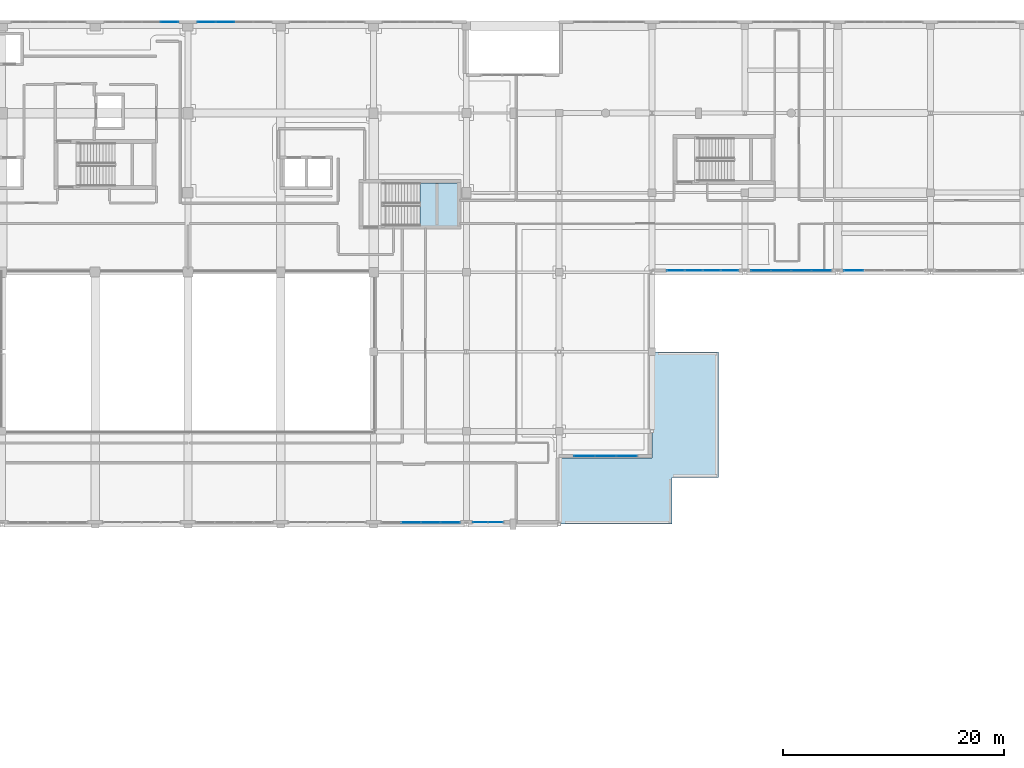
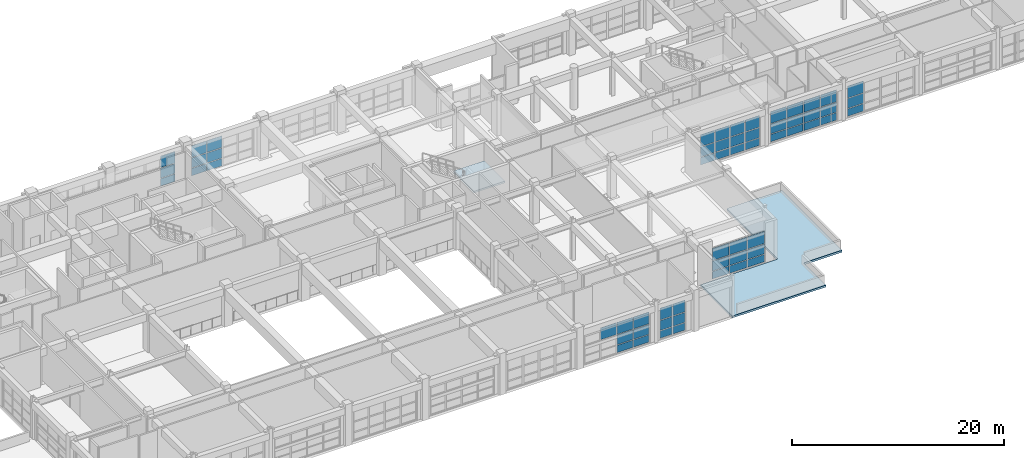
# One storey, part 95 of 123: 58 plates, 2 slabs, 9 elements without a shape of their own.
"""IFC4 building model written with IfcOpenShell, lengths in metres."""

from ifc_helpers import new_model, si_unit, direction, frame, origin, origin_2d, place, context, subcontext, project, spatial, polyline, rectangle, outline, extrude, material, layer, layer_set, type_object, element, aggregate, save


model = new_model("IFC4")

# Units and contexts
model_context = context("Model", 3, precision=1e-05, world=origin(), true_north=direction((0.0, 1.0)))
body_context = subcontext(model_context, "Body", "Model", "MODEL_VIEW")
ifc_project = project(units=[si_unit("LENGTHUNIT", "METRE"), si_unit("AREAUNIT", "SQUARE_METRE"), si_unit("VOLUMEUNIT", "CUBIC_METRE"), si_unit("PLANEANGLEUNIT", "RADIAN"), si_unit("MASSUNIT", "GRAM", prefix="KILO")], contexts=[model_context])

# Site, building, storey
site_placement = place(None, origin())
site = spatial("IfcSite", under=ifc_project, at=site_placement, CompositionType="ELEMENT")
building_placement = place(site_placement, origin())
building = spatial("IfcBuilding", under=site, at=building_placement, Name="Quendrovan Civic Courthouse", CompositionType="ELEMENT")
storey_placement = place(building_placement, frame((0.0, 0.0, 5.39990234375)))
storey = spatial("IfcBuildingStorey", under=building, at=storey_placement, Name="L02", CompositionType="ELEMENT", Elevation=5.39990234375)

# Curtain wall, plates
ifc_material_1 = material(Name="Bronze anodised aluminium and low-E glass", Category="aluminium")
ifc_layer_1 = layer(ifc_material_1, 0.179931640625, Name="Bronze anodised aluminium and low-E glass")
ifc_layer_set_1 = layer_set([ifc_layer_1], Name="Bronze anodised aluminium and low-E glass")
curtain_wall_type_1 = type_object("IfcCurtainWallType", Name="CW-U68x36", PredefinedType="USERDEFINED", material=ifc_layer_set_1)
curtain_wall_1_placement = place(storey_placement, origin())
curtain_wall_1 = element("IfcCurtainWall", 1, at=curtain_wall_1_placement, inside=storey, type_object=curtain_wall_type_1, Name="L02 Unitised Hurricane Curtain Wall CW-084", ObjectType="UNITISED CURTAIN WALL", PredefinedType="USERDEFINED")
ifc_material_2 = material(Name="Laminated hurricane-impact low-E glass", Category="glass")
ifc_layer_2 = layer(ifc_material_2, 0.028076171875, Name="Laminated hurricane-impact low-E glass")
ifc_layer_set_2 = layer_set([ifc_layer_2], Name="Laminated hurricane-impact low-E glass")
plate_type_1 = type_object("IfcPlateType", Name="CW-PNL-1", PredefinedType="CURTAIN_PANEL", material=ifc_layer_set_2)
plate_1_placement = place(storey_placement, frame((65.513671875, 110.235107421875, 0.0703125), z_axis=(0.0, 0.0, 1.0), x_axis=(1.0, 0.0, 0.0)))
plate_1 = element("IfcPlate", 2, at=plate_1_placement, type_object=plate_type_1, Name="CW-084 panel 4.1", PredefinedType="CURTAIN_PANEL", context=body_context, shape_type="SweptSolid", body=[
    extrude(rectangle(XDim=1.58251953125, YDim=0.028076171875, at=origin_2d()), origin(), (0.0, 0.0, 1.0), 0.844970703125),
])
plate_2_placement = place(storey_placement, frame((65.513671875, 110.235107421875, 0.985107421875), z_axis=(0.0, 0.0, 1.0), x_axis=(1.0, 0.0, 0.0)))
plate_2 = element("IfcPlate", 3, at=plate_2_placement, type_object=plate_type_1, Name="CW-084 panel 4.2", PredefinedType="CURTAIN_PANEL", context=body_context, shape_type="SweptSolid", body=[
    extrude(rectangle(XDim=1.58251953125, YDim=0.028076171875, at=origin_2d()), origin(), (0.0, 0.0, 1.0), 1.1298828125),
])
plate_3_placement = place(storey_placement, frame((65.513671875, 110.235107421875, 2.18505859375), z_axis=(0.0, 0.0, 1.0), x_axis=(1.0, 0.0, 0.0)))
plate_3 = element("IfcPlate", 4, at=plate_3_placement, type_object=plate_type_1, Name="CW-084 panel 4.3", PredefinedType="CURTAIN_PANEL", context=body_context, shape_type="SweptSolid", body=[
    extrude(rectangle(XDim=1.58251953125, YDim=0.028076171875, at=origin_2d()), origin(), (0.0, 0.0, 1.0), 1.344970703125),
])
aggregate(curtain_wall_1, [plate_1, plate_2, plate_3])

ifc_layer_3 = layer(ifc_material_1, 0.179931640625, Name="Bronze anodised aluminium and low-E glass")
ifc_layer_set_3 = layer_set([ifc_layer_3], Name="Bronze anodised aluminium and low-E glass")
curtain_wall_type_2 = type_object("IfcCurtainWallType", Name="CW-U66x36", PredefinedType="USERDEFINED", material=ifc_layer_set_3)
curtain_wall_2_placement = place(storey_placement, origin())
curtain_wall_2 = element("IfcCurtainWall", 5, at=curtain_wall_2_placement, inside=storey, type_object=curtain_wall_type_2, Name="L02 Unitised Hurricane Curtain Wall CW-104", ObjectType="UNITISED CURTAIN WALL", PredefinedType="USERDEFINED")
plate_4_placement = place(storey_placement, frame((116.22509765625, 87.764892578125, 0.0703125), z_axis=(0.0, 0.0, 1.0), x_axis=(-1.0, 0.0, 0.0)))
plate_4 = element("IfcPlate", 6, at=plate_4_placement, type_object=plate_type_1, Name="CW-104 panel 1.1", PredefinedType="CURTAIN_PANEL", context=body_context, shape_type="SweptSolid", body=[
    extrude(rectangle(XDim=1.53564453125, YDim=0.028076171875, at=origin_2d()), origin(), (0.0, 0.0, 1.0), 0.844970703125),
])
plate_5_placement = place(storey_placement, frame((116.22509765625, 87.764892578125, 0.985107421875), z_axis=(0.0, 0.0, 1.0), x_axis=(-1.0, 0.0, 0.0)))
plate_5 = element("IfcPlate", 7, at=plate_5_placement, type_object=plate_type_1, Name="CW-104 panel 1.2", PredefinedType="CURTAIN_PANEL", context=body_context, shape_type="SweptSolid", body=[
    extrude(rectangle(XDim=1.53564453125, YDim=0.028076171875, at=origin_2d()), origin(), (0.0, 0.0, 1.0), 1.1298828125),
])
plate_6_placement = place(storey_placement, frame((116.22509765625, 87.764892578125, 2.18505859375), z_axis=(0.0, 0.0, 1.0), x_axis=(-1.0, 0.0, 0.0)))
plate_6 = element("IfcPlate", 8, at=plate_6_placement, type_object=plate_type_1, Name="CW-104 panel 1.3", PredefinedType="CURTAIN_PANEL", context=body_context, shape_type="SweptSolid", body=[
    extrude(rectangle(XDim=1.53564453125, YDim=0.028076171875, at=origin_2d()), origin(), (0.0, 0.0, 1.0), 1.344970703125),
])
plate_7_placement = place(storey_placement, frame((114.601806640625, 87.764892578125, 0.0703125), z_axis=(0.0, 0.0, 1.0), x_axis=(-1.0, 0.0, 0.0)))
plate_7 = element("IfcPlate", 9, at=plate_7_placement, type_object=plate_type_1, Name="CW-104 panel 2.1", PredefinedType="CURTAIN_PANEL", context=body_context, shape_type="SweptSolid", body=[
    extrude(rectangle(XDim=1.57080078125, YDim=0.028076171875, at=origin_2d()), origin(), (0.0, 0.0, 1.0), 0.844970703125),
])
plate_8_placement = place(storey_placement, frame((114.601806640625, 87.764892578125, 0.985107421875), z_axis=(0.0, 0.0, 1.0), x_axis=(-1.0, 0.0, 0.0)))
plate_8 = element("IfcPlate", 10, at=plate_8_placement, type_object=plate_type_1, Name="CW-104 panel 2.2", PredefinedType="CURTAIN_PANEL", context=body_context, shape_type="SweptSolid", body=[
    extrude(rectangle(XDim=1.57080078125, YDim=0.028076171875, at=origin_2d()), origin(), (0.0, 0.0, 1.0), 1.1298828125),
])
plate_9_placement = place(storey_placement, frame((114.601806640625, 87.764892578125, 2.18505859375), z_axis=(0.0, 0.0, 1.0), x_axis=(-1.0, 0.0, 0.0)))
plate_9 = element("IfcPlate", 11, at=plate_9_placement, type_object=plate_type_1, Name="CW-104 panel 2.3", PredefinedType="CURTAIN_PANEL", context=body_context, shape_type="SweptSolid", body=[
    extrude(rectangle(XDim=1.57080078125, YDim=0.028076171875, at=origin_2d()), origin(), (0.0, 0.0, 1.0), 1.344970703125),
])
plate_10_placement = place(storey_placement, frame((112.961181640625, 87.764892578125, 0.0703125), z_axis=(0.0, 0.0, 1.0), x_axis=(-1.0, 0.0, 0.0)))
plate_10 = element("IfcPlate", 12, at=plate_10_placement, type_object=plate_type_1, Name="CW-104 panel 3.1", PredefinedType="CURTAIN_PANEL", context=body_context, shape_type="SweptSolid", body=[
    extrude(rectangle(XDim=1.57080078125, YDim=0.028076171875, at=origin_2d()), origin(), (0.0, 0.0, 1.0), 0.844970703125),
])
plate_11_placement = place(storey_placement, frame((112.961181640625, 87.764892578125, 0.985107421875), z_axis=(0.0, 0.0, 1.0), x_axis=(-1.0, 0.0, 0.0)))
plate_11 = element("IfcPlate", 13, at=plate_11_placement, type_object=plate_type_1, Name="CW-104 panel 3.2", PredefinedType="CURTAIN_PANEL", context=body_context, shape_type="SweptSolid", body=[
    extrude(rectangle(XDim=1.57080078125, YDim=0.028076171875, at=origin_2d()), origin(), (0.0, 0.0, 1.0), 1.1298828125),
])
plate_12_placement = place(storey_placement, frame((112.961181640625, 87.764892578125, 2.18505859375), z_axis=(0.0, 0.0, 1.0), x_axis=(-1.0, 0.0, 0.0)))
plate_12 = element("IfcPlate", 14, at=plate_12_placement, type_object=plate_type_1, Name="CW-104 panel 3.3", PredefinedType="CURTAIN_PANEL", context=body_context, shape_type="SweptSolid", body=[
    extrude(rectangle(XDim=1.57080078125, YDim=0.028076171875, at=origin_2d()), origin(), (0.0, 0.0, 1.0), 1.344970703125),
])
plate_13_placement = place(storey_placement, frame((111.337890625, 87.764892578125, 0.0703125), z_axis=(0.0, 0.0, 1.0), x_axis=(-1.0, 0.0, 0.0)))
plate_13 = element("IfcPlate", 15, at=plate_13_placement, type_object=plate_type_1, Name="CW-104 panel 4.1", PredefinedType="CURTAIN_PANEL", context=body_context, shape_type="SweptSolid", body=[
    extrude(rectangle(XDim=1.53564453125, YDim=0.028076171875, at=origin_2d()), origin(), (0.0, 0.0, 1.0), 0.844970703125),
])
plate_14_placement = place(storey_placement, frame((111.337890625, 87.764892578125, 0.985107421875), z_axis=(0.0, 0.0, 1.0), x_axis=(-1.0, 0.0, 0.0)))
plate_14 = element("IfcPlate", 16, at=plate_14_placement, type_object=plate_type_1, Name="CW-104 panel 4.2", PredefinedType="CURTAIN_PANEL", context=body_context, shape_type="SweptSolid", body=[
    extrude(rectangle(XDim=1.53564453125, YDim=0.028076171875, at=origin_2d()), origin(), (0.0, 0.0, 1.0), 1.1298828125),
])
plate_15_placement = place(storey_placement, frame((111.337890625, 87.764892578125, 2.18505859375), z_axis=(0.0, 0.0, 1.0), x_axis=(-1.0, 0.0, 0.0)))
plate_15 = element("IfcPlate", 17, at=plate_15_placement, type_object=plate_type_1, Name="CW-104 panel 4.3", PredefinedType="CURTAIN_PANEL", context=body_context, shape_type="SweptSolid", body=[
    extrude(rectangle(XDim=1.53564453125, YDim=0.028076171875, at=origin_2d()), origin(), (0.0, 0.0, 1.0), 1.344970703125),
])
aggregate(curtain_wall_2, [plate_4, plate_5, plate_6, plate_7, plate_8, plate_9, plate_10, plate_11, plate_12, plate_13, plate_14, plate_15])

curtain_wall_3_placement = place(storey_placement, origin())
curtain_wall_3 = element("IfcCurtainWall", 18, at=curtain_wall_3_placement, inside=storey, type_object=curtain_wall_type_1, Name="L02 Unitised Hurricane Curtain Wall CW-085", ObjectType="UNITISED CURTAIN WALL", PredefinedType="USERDEFINED")
ifc_layer_4 = layer(ifc_material_2, 0.031982421875, Name="Laminated hurricane-impact low-E glass")
ifc_layer_set_4 = layer_set([ifc_layer_4], Name="Laminated hurricane-impact low-E glass")
plate_type_2 = type_object("IfcPlateType", Name="CW-PNL-2", PredefinedType="CURTAIN_PANEL", material=ifc_layer_set_4)
plate_16_placement = place(storey_placement, frame((68.88818359375, 110.235107421875, 0.065185546875), z_axis=(0.0, 0.0, 1.0), x_axis=(1.0, 0.0, 0.0)))
plate_16 = element("IfcPlate", 19, at=plate_16_placement, type_object=plate_type_2, Name="CW-085 panel 1.1", PredefinedType="CURTAIN_PANEL", context=body_context, shape_type="SweptSolid", body=[
    extrude(rectangle(XDim=1.59619140625, YDim=0.031982421875, at=origin_2d()), origin(), (0.0, 0.0, 1.0), 0.8525390625),
])
plate_17_placement = place(storey_placement, frame((68.88818359375, 110.235107421875, 0.982421875), z_axis=(0.0, 0.0, 1.0), x_axis=(1.0, 0.0, 0.0)))
plate_17 = element("IfcPlate", 20, at=plate_17_placement, type_object=plate_type_2, Name="CW-085 panel 1.2", PredefinedType="CURTAIN_PANEL", context=body_context, shape_type="SweptSolid", body=[
    extrude(rectangle(XDim=1.59619140625, YDim=0.031982421875, at=origin_2d()), origin(), (0.0, 0.0, 1.0), 1.135009765625),
])
plate_18_placement = place(storey_placement, frame((68.88818359375, 110.235107421875, 2.1826171875), z_axis=(0.0, 0.0, 1.0), x_axis=(1.0, 0.0, 0.0)))
plate_18 = element("IfcPlate", 21, at=plate_18_placement, type_object=plate_type_2, Name="CW-085 panel 1.3", PredefinedType="CURTAIN_PANEL", context=body_context, shape_type="SweptSolid", body=[
    extrude(rectangle(XDim=1.59619140625, YDim=0.031982421875, at=origin_2d()), origin(), (0.0, 0.0, 1.0), 1.3525390625),
])
plate_19_placement = place(storey_placement, frame((70.565673828125, 110.235107421875, 0.065185546875), z_axis=(0.0, 0.0, 1.0), x_axis=(1.0, 0.0, 0.0)))
plate_19 = element("IfcPlate", 22, at=plate_19_placement, type_object=plate_type_2, Name="CW-085 panel 2.1", PredefinedType="CURTAIN_PANEL", context=body_context, shape_type="SweptSolid", body=[
    extrude(rectangle(XDim=1.628662109375, YDim=0.031982421875, at=origin_2d()), origin(), (0.0, 0.0, 1.0), 0.8525390625),
])
plate_20_placement = place(storey_placement, frame((70.565673828125, 110.235107421875, 0.982421875), z_axis=(0.0, 0.0, 1.0), x_axis=(1.0, 0.0, 0.0)))
plate_20 = element("IfcPlate", 23, at=plate_20_placement, type_object=plate_type_2, Name="CW-085 panel 2.2", PredefinedType="CURTAIN_PANEL", context=body_context, shape_type="SweptSolid", body=[
    extrude(rectangle(XDim=1.628662109375, YDim=0.031982421875, at=origin_2d()), origin(), (0.0, 0.0, 1.0), 1.135009765625),
])
plate_21_placement = place(storey_placement, frame((70.565673828125, 110.235107421875, 2.1826171875), z_axis=(0.0, 0.0, 1.0), x_axis=(1.0, 0.0, 0.0)))
plate_21 = element("IfcPlate", 24, at=plate_21_placement, type_object=plate_type_2, Name="CW-085 panel 2.3", PredefinedType="CURTAIN_PANEL", context=body_context, shape_type="SweptSolid", body=[
    extrude(rectangle(XDim=1.628662109375, YDim=0.031982421875, at=origin_2d()), origin(), (0.0, 0.0, 1.0), 1.3525390625),
])
aggregate(curtain_wall_3, [plate_16, plate_17, plate_18, plate_19, plate_20, plate_21])

ifc_layer_5 = layer(ifc_material_1, 0.179931640625, Name="Bronze anodised aluminium and low-E glass")
ifc_layer_set_5 = layer_set([ifc_layer_5], Name="Bronze anodised aluminium and low-E glass")
curtain_wall_type_3 = type_object("IfcCurtainWallType", Name="CW-U58x37", PredefinedType="USERDEFINED", material=ifc_layer_set_5)
curtain_wall_4_placement = place(storey_placement, origin())
curtain_wall_4 = element("IfcCurtainWall", 25, at=curtain_wall_4_placement, inside=storey, type_object=curtain_wall_type_3, Name="L02 Unitised Hurricane Curtain Wall CW-105", ObjectType="UNITISED CURTAIN WALL", PredefinedType="USERDEFINED")
plate_22_placement = place(storey_placement, frame((106.9169921875, 70.965087890625, 0.065185546875), z_axis=(0.0, 0.0, 1.0), x_axis=(-1.0, 0.0, 0.0)))
plate_22 = element("IfcPlate", 26, at=plate_22_placement, type_object=plate_type_2, Name="CW-105 panel 1.1", PredefinedType="CURTAIN_PANEL", context=body_context, shape_type="SweptSolid", body=[
    extrude(rectangle(XDim=1.8359375, YDim=0.031982421875, at=origin_2d()), origin(), (0.0, 0.0, 1.0), 0.8525390625),
])
plate_23_placement = place(storey_placement, frame((106.9169921875, 70.965087890625, 0.982421875), z_axis=(0.0, 0.0, 1.0), x_axis=(-1.0, 0.0, 0.0)))
plate_23 = element("IfcPlate", 27, at=plate_23_placement, type_object=plate_type_2, Name="CW-105 panel 1.2", PredefinedType="CURTAIN_PANEL", context=body_context, shape_type="SweptSolid", body=[
    extrude(rectangle(XDim=1.8359375, YDim=0.031982421875, at=origin_2d()), origin(), (0.0, 0.0, 1.0), 1.135009765625),
])
plate_24_placement = place(storey_placement, frame((106.9169921875, 70.965087890625, 2.1826171875), z_axis=(0.0, 0.0, 1.0), x_axis=(-1.0, 0.0, 0.0)))
plate_24 = element("IfcPlate", 28, at=plate_24_placement, type_object=plate_type_2, Name="CW-105 panel 1.3", PredefinedType="CURTAIN_PANEL", context=body_context, shape_type="SweptSolid", body=[
    extrude(rectangle(XDim=1.8359375, YDim=0.031982421875, at=origin_2d()), origin(), (0.0, 0.0, 1.0), 1.41259765625),
])
plate_25_placement = place(storey_placement, frame((105.0, 70.965087890625, 0.065185546875), z_axis=(0.0, 0.0, 1.0), x_axis=(-1.0, 0.0, 0.0)))
plate_25 = element("IfcPlate", 29, at=plate_25_placement, type_object=plate_type_2, Name="CW-105 panel 2.1", PredefinedType="CURTAIN_PANEL", context=body_context, shape_type="SweptSolid", body=[
    extrude(rectangle(XDim=1.868408203125, YDim=0.031982421875, at=origin_2d()), origin(), (0.0, 0.0, 1.0), 0.8525390625),
])
plate_26_placement = place(storey_placement, frame((105.0, 70.965087890625, 0.982421875), z_axis=(0.0, 0.0, 1.0), x_axis=(-1.0, 0.0, 0.0)))
plate_26 = element("IfcPlate", 30, at=plate_26_placement, type_object=plate_type_2, Name="CW-105 panel 2.2", PredefinedType="CURTAIN_PANEL", context=body_context, shape_type="SweptSolid", body=[
    extrude(rectangle(XDim=1.868408203125, YDim=0.031982421875, at=origin_2d()), origin(), (0.0, 0.0, 1.0), 1.135009765625),
])
plate_27_placement = place(storey_placement, frame((105.0, 70.965087890625, 2.1826171875), z_axis=(0.0, 0.0, 1.0), x_axis=(-1.0, 0.0, 0.0)))
plate_27 = element("IfcPlate", 31, at=plate_27_placement, type_object=plate_type_2, Name="CW-105 panel 2.3", PredefinedType="CURTAIN_PANEL", context=body_context, shape_type="SweptSolid", body=[
    extrude(rectangle(XDim=1.868408203125, YDim=0.031982421875, at=origin_2d()), origin(), (0.0, 0.0, 1.0), 1.41259765625),
])
plate_28_placement = place(storey_placement, frame((103.0830078125, 70.965087890625, 0.065185546875), z_axis=(0.0, 0.0, 1.0), x_axis=(-1.0, 0.0, 0.0)))
plate_28 = element("IfcPlate", 32, at=plate_28_placement, type_object=plate_type_2, Name="CW-105 panel 3.1", PredefinedType="CURTAIN_PANEL", context=body_context, shape_type="SweptSolid", body=[
    extrude(rectangle(XDim=1.8359375, YDim=0.031982421875, at=origin_2d()), origin(), (0.0, 0.0, 1.0), 0.8525390625),
])
plate_29_placement = place(storey_placement, frame((103.0830078125, 70.965087890625, 0.982421875), z_axis=(0.0, 0.0, 1.0), x_axis=(-1.0, 0.0, 0.0)))
plate_29 = element("IfcPlate", 33, at=plate_29_placement, type_object=plate_type_2, Name="CW-105 panel 3.2", PredefinedType="CURTAIN_PANEL", context=body_context, shape_type="SweptSolid", body=[
    extrude(rectangle(XDim=1.8359375, YDim=0.031982421875, at=origin_2d()), origin(), (0.0, 0.0, 1.0), 1.135009765625),
])
plate_30_placement = place(storey_placement, frame((103.0830078125, 70.965087890625, 2.1826171875), z_axis=(0.0, 0.0, 1.0), x_axis=(-1.0, 0.0, 0.0)))
plate_30 = element("IfcPlate", 34, at=plate_30_placement, type_object=plate_type_2, Name="CW-105 panel 3.3", PredefinedType="CURTAIN_PANEL", context=body_context, shape_type="SweptSolid", body=[
    extrude(rectangle(XDim=1.8359375, YDim=0.031982421875, at=origin_2d()), origin(), (0.0, 0.0, 1.0), 1.41259765625),
])
aggregate(curtain_wall_4, [plate_22, plate_23, plate_24, plate_25, plate_26, plate_27, plate_28, plate_29, plate_30])

ifc_layer_6 = layer(ifc_material_1, 0.179931640625, Name="Bronze anodised aluminium and low-E glass")
ifc_layer_set_6 = layer_set([ifc_layer_6], Name="Bronze anodised aluminium and low-E glass")
curtain_wall_type_4 = type_object("IfcCurtainWallType", Name="CW-U73x36", PredefinedType="USERDEFINED", material=ifc_layer_set_6)
curtain_wall_5_placement = place(storey_placement, origin())
curtain_wall_5 = element("IfcCurtainWall", 35, at=curtain_wall_5_placement, inside=storey, type_object=curtain_wall_type_4, Name="L02 Unitised Hurricane Curtain Wall CW-102", ObjectType="UNITISED CURTAIN WALL", PredefinedType="USERDEFINED")
ifc_layer_7 = layer(ifc_material_2, 0.035888671875, Name="Laminated hurricane-impact low-E glass")
ifc_layer_set_7 = layer_set([ifc_layer_7], Name="Laminated hurricane-impact low-E glass")
plate_type_3 = type_object("IfcPlateType", Name="CW-PNL-3", PredefinedType="CURTAIN_PANEL", material=ifc_layer_set_7)
plate_31_placement = place(storey_placement, frame((127.47021484375, 87.764892578125, 0.0703125), z_axis=(0.0, 0.0, 1.0), x_axis=(-1.0, 0.0, 0.0)))
plate_31 = element("IfcPlate", 36, at=plate_31_placement, type_object=plate_type_3, Name="CW-102 panel 4.1", PredefinedType="CURTAIN_PANEL", context=body_context, shape_type="SweptSolid", body=[
    extrude(rectangle(XDim=1.7265625, YDim=0.035888671875, at=origin_2d()), origin(), (0.0, 0.0, 1.0), 0.844970703125),
])
plate_32_placement = place(storey_placement, frame((127.47021484375, 87.764892578125, 0.985107421875), z_axis=(0.0, 0.0, 1.0), x_axis=(-1.0, 0.0, 0.0)))
plate_32 = element("IfcPlate", 37, at=plate_32_placement, type_object=plate_type_3, Name="CW-102 panel 4.2", PredefinedType="CURTAIN_PANEL", context=body_context, shape_type="SweptSolid", body=[
    extrude(rectangle(XDim=1.7265625, YDim=0.035888671875, at=origin_2d()), origin(), (0.0, 0.0, 1.0), 1.1298828125),
])
plate_33_placement = place(storey_placement, frame((127.47021484375, 87.764892578125, 2.18505859375), z_axis=(0.0, 0.0, 1.0), x_axis=(-1.0, 0.0, 0.0)))
plate_33 = element("IfcPlate", 38, at=plate_33_placement, type_object=plate_type_3, Name="CW-102 panel 4.3", PredefinedType="CURTAIN_PANEL", context=body_context, shape_type="SweptSolid", body=[
    extrude(rectangle(XDim=1.7265625, YDim=0.035888671875, at=origin_2d()), origin(), (0.0, 0.0, 1.0), 1.344970703125),
])
aggregate(curtain_wall_5, [plate_31, plate_32, plate_33])

ifc_layer_8 = layer(ifc_material_1, 0.179931640625, Name="Bronze anodised aluminium and low-E glass")
ifc_layer_set_8 = layer_set([ifc_layer_8], Name="Bronze anodised aluminium and low-E glass")
curtain_wall_type_5 = type_object("IfcCurtainWallType", Name="CW-U28x36", PredefinedType="USERDEFINED", material=ifc_layer_set_8)
curtain_wall_6_placement = place(storey_placement, origin())
curtain_wall_6 = element("IfcCurtainWall", 39, at=curtain_wall_6_placement, inside=storey, type_object=curtain_wall_type_5, Name="L02 Unitised Hurricane Curtain Wall CW-106", ObjectType="UNITISED CURTAIN WALL", PredefinedType="USERDEFINED")
plate_34_placement = place(storey_placement, frame((95.048095703125, 64.965087890625, 0.0703125), z_axis=(0.0, 0.0, 1.0), x_axis=(-1.0, 0.0, 0.0)))
plate_34 = element("IfcPlate", 40, at=plate_34_placement, type_object=plate_type_3, Name="CW-106 panel 1.1", PredefinedType="CURTAIN_PANEL", context=body_context, shape_type="SweptSolid", body=[
    extrude(rectangle(XDim=1.31396484375, YDim=0.035888671875, at=origin_2d()), origin(), (0.0, 0.0, 1.0), 0.844970703125),
])
plate_35_placement = place(storey_placement, frame((95.048095703125, 64.965087890625, 0.985107421875), z_axis=(0.0, 0.0, 1.0), x_axis=(-1.0, 0.0, 0.0)))
plate_35 = element("IfcPlate", 41, at=plate_35_placement, type_object=plate_type_3, Name="CW-106 panel 1.2", PredefinedType="CURTAIN_PANEL", context=body_context, shape_type="SweptSolid", body=[
    extrude(rectangle(XDim=1.31396484375, YDim=0.035888671875, at=origin_2d()), origin(), (0.0, 0.0, 1.0), 1.1298828125),
])
plate_36_placement = place(storey_placement, frame((95.048095703125, 64.965087890625, 2.18505859375), z_axis=(0.0, 0.0, 1.0), x_axis=(-1.0, 0.0, 0.0)))
plate_36 = element("IfcPlate", 42, at=plate_36_placement, type_object=plate_type_3, Name="CW-106 panel 1.3", PredefinedType="CURTAIN_PANEL", context=body_context, shape_type="SweptSolid", body=[
    extrude(rectangle(XDim=1.31396484375, YDim=0.035888671875, at=origin_2d()), origin(), (0.0, 0.0, 1.0), 1.344970703125),
])
plate_37_placement = place(storey_placement, frame((93.6640625, 64.965087890625, 0.0703125), z_axis=(0.0, 0.0, 1.0), x_axis=(-1.0, 0.0, 0.0)))
plate_37 = element("IfcPlate", 43, at=plate_37_placement, type_object=plate_type_3, Name="CW-106 panel 2.1", PredefinedType="CURTAIN_PANEL", context=body_context, shape_type="SweptSolid", body=[
    extrude(rectangle(XDim=1.31396484375, YDim=0.035888671875, at=origin_2d()), origin(), (0.0, 0.0, 1.0), 0.844970703125),
])
plate_38_placement = place(storey_placement, frame((93.6640625, 64.965087890625, 0.985107421875), z_axis=(0.0, 0.0, 1.0), x_axis=(-1.0, 0.0, 0.0)))
plate_38 = element("IfcPlate", 44, at=plate_38_placement, type_object=plate_type_3, Name="CW-106 panel 2.2", PredefinedType="CURTAIN_PANEL", context=body_context, shape_type="SweptSolid", body=[
    extrude(rectangle(XDim=1.31396484375, YDim=0.035888671875, at=origin_2d()), origin(), (0.0, 0.0, 1.0), 1.1298828125),
])
plate_39_placement = place(storey_placement, frame((93.6640625, 64.965087890625, 2.18505859375), z_axis=(0.0, 0.0, 1.0), x_axis=(-1.0, 0.0, 0.0)))
plate_39 = element("IfcPlate", 45, at=plate_39_placement, type_object=plate_type_3, Name="CW-106 panel 2.3", PredefinedType="CURTAIN_PANEL", context=body_context, shape_type="SweptSolid", body=[
    extrude(rectangle(XDim=1.31396484375, YDim=0.035888671875, at=origin_2d()), origin(), (0.0, 0.0, 1.0), 1.344970703125),
])
aggregate(curtain_wall_6, [plate_34, plate_35, plate_36, plate_37, plate_38, plate_39])

curtain_wall_7_placement = place(storey_placement, origin())
curtain_wall_7 = element("IfcCurtainWall", 46, at=curtain_wall_7_placement, inside=storey, type_object=curtain_wall_type_4, Name="L02 Unitised Hurricane Curtain Wall CW-103", ObjectType="UNITISED CURTAIN WALL", PredefinedType="USERDEFINED")
ifc_layer_9 = layer(ifc_material_2, 0.0419921875, Name="Laminated hurricane-impact low-E glass")
ifc_layer_set_9 = layer_set([ifc_layer_9], Name="Laminated hurricane-impact low-E glass")
plate_type_4 = type_object("IfcPlateType", Name="CW-PNL-4", PredefinedType="CURTAIN_PANEL", material=ifc_layer_set_9)
plate_40_placement = place(storey_placement, frame((124.531005859375, 87.764892578125, 0.065185546875), z_axis=(0.0, 0.0, 1.0), x_axis=(-1.0, 0.0, 0.0)))
plate_40 = element("IfcPlate", 47, at=plate_40_placement, type_object=plate_type_4, Name="CW-103 panel 1.1", PredefinedType="CURTAIN_PANEL", context=body_context, shape_type="SweptSolid", body=[
    extrude(rectangle(XDim=1.73388671875, YDim=0.0419921875, at=origin_2d()), origin(), (0.0, 0.0, 1.0), 0.8525390625),
])
plate_41_placement = place(storey_placement, frame((124.531005859375, 87.764892578125, 0.982421875), z_axis=(0.0, 0.0, 1.0), x_axis=(-1.0, 0.0, 0.0)))
plate_41 = element("IfcPlate", 48, at=plate_41_placement, type_object=plate_type_4, Name="CW-103 panel 1.2", PredefinedType="CURTAIN_PANEL", context=body_context, shape_type="SweptSolid", body=[
    extrude(rectangle(XDim=1.73388671875, YDim=0.0419921875, at=origin_2d()), origin(), (0.0, 0.0, 1.0), 1.135009765625),
])
plate_42_placement = place(storey_placement, frame((124.531005859375, 87.764892578125, 2.1826171875), z_axis=(0.0, 0.0, 1.0), x_axis=(-1.0, 0.0, 0.0)))
plate_42 = element("IfcPlate", 49, at=plate_42_placement, type_object=plate_type_4, Name="CW-103 panel 1.3", PredefinedType="CURTAIN_PANEL", context=body_context, shape_type="SweptSolid", body=[
    extrude(rectangle(XDim=1.73388671875, YDim=0.0419921875, at=origin_2d()), origin(), (0.0, 0.0, 1.0), 1.3525390625),
])
plate_43_placement = place(storey_placement, frame((122.7158203125, 87.764892578125, 0.065185546875), z_axis=(0.0, 0.0, 1.0), x_axis=(-1.0, 0.0, 0.0)))
plate_43 = element("IfcPlate", 50, at=plate_43_placement, type_object=plate_type_4, Name="CW-103 panel 2.1", PredefinedType="CURTAIN_PANEL", context=body_context, shape_type="SweptSolid", body=[
    extrude(rectangle(XDim=1.7666015625, YDim=0.0419921875, at=origin_2d()), origin(), (0.0, 0.0, 1.0), 0.8525390625),
])
plate_44_placement = place(storey_placement, frame((122.7158203125, 87.764892578125, 0.982421875), z_axis=(0.0, 0.0, 1.0), x_axis=(-1.0, 0.0, 0.0)))
plate_44 = element("IfcPlate", 51, at=plate_44_placement, type_object=plate_type_4, Name="CW-103 panel 2.2", PredefinedType="CURTAIN_PANEL", context=body_context, shape_type="SweptSolid", body=[
    extrude(rectangle(XDim=1.7666015625, YDim=0.0419921875, at=origin_2d()), origin(), (0.0, 0.0, 1.0), 1.135009765625),
])
plate_45_placement = place(storey_placement, frame((122.7158203125, 87.764892578125, 2.1826171875), z_axis=(0.0, 0.0, 1.0), x_axis=(-1.0, 0.0, 0.0)))
plate_45 = element("IfcPlate", 52, at=plate_45_placement, type_object=plate_type_4, Name="CW-103 panel 2.3", PredefinedType="CURTAIN_PANEL", context=body_context, shape_type="SweptSolid", body=[
    extrude(rectangle(XDim=1.7666015625, YDim=0.0419921875, at=origin_2d()), origin(), (0.0, 0.0, 1.0), 1.3525390625),
])
plate_46_placement = place(storey_placement, frame((120.88427734375, 87.764892578125, 0.065185546875), z_axis=(0.0, 0.0, 1.0), x_axis=(-1.0, 0.0, 0.0)))
plate_46 = element("IfcPlate", 53, at=plate_46_placement, type_object=plate_type_4, Name="CW-103 panel 3.1", PredefinedType="CURTAIN_PANEL", context=body_context, shape_type="SweptSolid", body=[
    extrude(rectangle(XDim=1.7666015625, YDim=0.0419921875, at=origin_2d()), origin(), (0.0, 0.0, 1.0), 0.8525390625),
])
plate_47_placement = place(storey_placement, frame((120.88427734375, 87.764892578125, 0.982421875), z_axis=(0.0, 0.0, 1.0), x_axis=(-1.0, 0.0, 0.0)))
plate_47 = element("IfcPlate", 54, at=plate_47_placement, type_object=plate_type_4, Name="CW-103 panel 3.2", PredefinedType="CURTAIN_PANEL", context=body_context, shape_type="SweptSolid", body=[
    extrude(rectangle(XDim=1.7666015625, YDim=0.0419921875, at=origin_2d()), origin(), (0.0, 0.0, 1.0), 1.135009765625),
])
plate_48_placement = place(storey_placement, frame((120.88427734375, 87.764892578125, 2.1826171875), z_axis=(0.0, 0.0, 1.0), x_axis=(-1.0, 0.0, 0.0)))
plate_48 = element("IfcPlate", 55, at=plate_48_placement, type_object=plate_type_4, Name="CW-103 panel 3.3", PredefinedType="CURTAIN_PANEL", context=body_context, shape_type="SweptSolid", body=[
    extrude(rectangle(XDim=1.7666015625, YDim=0.0419921875, at=origin_2d()), origin(), (0.0, 0.0, 1.0), 1.3525390625),
])
plate_49_placement = place(storey_placement, frame((119.069091796875, 87.764892578125, 0.065185546875), z_axis=(0.0, 0.0, 1.0), x_axis=(-1.0, 0.0, 0.0)))
plate_49 = element("IfcPlate", 56, at=plate_49_placement, type_object=plate_type_4, Name="CW-103 panel 4.1", PredefinedType="CURTAIN_PANEL", context=body_context, shape_type="SweptSolid", body=[
    extrude(rectangle(XDim=1.73388671875, YDim=0.0419921875, at=origin_2d()), origin(), (0.0, 0.0, 1.0), 0.8525390625),
])
plate_50_placement = place(storey_placement, frame((119.069091796875, 87.764892578125, 0.982421875), z_axis=(0.0, 0.0, 1.0), x_axis=(-1.0, 0.0, 0.0)))
plate_50 = element("IfcPlate", 57, at=plate_50_placement, type_object=plate_type_4, Name="CW-103 panel 4.2", PredefinedType="CURTAIN_PANEL", context=body_context, shape_type="SweptSolid", body=[
    extrude(rectangle(XDim=1.73388671875, YDim=0.0419921875, at=origin_2d()), origin(), (0.0, 0.0, 1.0), 1.135009765625),
])
plate_51_placement = place(storey_placement, frame((119.069091796875, 87.764892578125, 2.1826171875), z_axis=(0.0, 0.0, 1.0), x_axis=(-1.0, 0.0, 0.0)))
plate_51 = element("IfcPlate", 58, at=plate_51_placement, type_object=plate_type_4, Name="CW-103 panel 4.3", PredefinedType="CURTAIN_PANEL", context=body_context, shape_type="SweptSolid", body=[
    extrude(rectangle(XDim=1.73388671875, YDim=0.0419921875, at=origin_2d()), origin(), (0.0, 0.0, 1.0), 1.3525390625),
])
aggregate(curtain_wall_7, [plate_40, plate_41, plate_42, plate_43, plate_44, plate_45, plate_46, plate_47, plate_48, plate_49, plate_50, plate_51])

ifc_layer_10 = layer(ifc_material_1, 0.179931640625, Name="Bronze anodised aluminium and low-E glass")
ifc_layer_set_10 = layer_set([ifc_layer_10], Name="Bronze anodised aluminium and low-E glass")
curtain_wall_type_6 = type_object("IfcCurtainWallType", Name="CW-U72x36", PredefinedType="USERDEFINED", material=ifc_layer_set_10)
curtain_wall_8_placement = place(storey_placement, origin())
curtain_wall_8 = element("IfcCurtainWall", 59, at=curtain_wall_8_placement, inside=storey, type_object=curtain_wall_type_6, Name="L02 Unitised Hurricane Curtain Wall CW-107", ObjectType="UNITISED CURTAIN WALL", PredefinedType="USERDEFINED")
plate_52_placement = place(storey_placement, frame((90.951416015625, 64.965087890625, 0.065185546875), z_axis=(0.0, 0.0, 1.0), x_axis=(-1.0, 0.0, 0.0)))
plate_52 = element("IfcPlate", 60, at=plate_52_placement, type_object=plate_type_4, Name="CW-107 panel 1.1", PredefinedType="CURTAIN_PANEL", context=body_context, shape_type="SweptSolid", body=[
    extrude(rectangle(XDim=1.693359375, YDim=0.0419921875, at=origin_2d()), origin(), (0.0, 0.0, 1.0), 0.8525390625),
])
plate_53_placement = place(storey_placement, frame((90.951416015625, 64.965087890625, 0.982421875), z_axis=(0.0, 0.0, 1.0), x_axis=(-1.0, 0.0, 0.0)))
plate_53 = element("IfcPlate", 61, at=plate_53_placement, type_object=plate_type_4, Name="CW-107 panel 1.2", PredefinedType="CURTAIN_PANEL", context=body_context, shape_type="SweptSolid", body=[
    extrude(rectangle(XDim=1.693359375, YDim=0.0419921875, at=origin_2d()), origin(), (0.0, 0.0, 1.0), 1.135009765625),
])
plate_54_placement = place(storey_placement, frame((90.951416015625, 64.965087890625, 2.1826171875), z_axis=(0.0, 0.0, 1.0), x_axis=(-1.0, 0.0, 0.0)))
plate_54 = element("IfcPlate", 62, at=plate_54_placement, type_object=plate_type_4, Name="CW-107 panel 1.3", PredefinedType="CURTAIN_PANEL", context=body_context, shape_type="SweptSolid", body=[
    extrude(rectangle(XDim=1.693359375, YDim=0.0419921875, at=origin_2d()), origin(), (0.0, 0.0, 1.0), 1.3525390625),
])
plate_55_placement = place(storey_placement, frame((89.1767578125, 64.965087890625, 0.065185546875), z_axis=(0.0, 0.0, 1.0), x_axis=(-1.0, 0.0, 0.0)))
plate_55 = element("IfcPlate", 63, at=plate_55_placement, type_object=plate_type_4, Name="CW-107 panel 2.1", PredefinedType="CURTAIN_PANEL", context=body_context, shape_type="SweptSolid", body=[
    extrude(rectangle(XDim=1.725830078125, YDim=0.0419921875, at=origin_2d()), origin(), (0.0, 0.0, 1.0), 0.8525390625),
])
plate_56_placement = place(storey_placement, frame((89.1767578125, 64.965087890625, 0.982421875), z_axis=(0.0, 0.0, 1.0), x_axis=(-1.0, 0.0, 0.0)))
plate_56 = element("IfcPlate", 64, at=plate_56_placement, type_object=plate_type_4, Name="CW-107 panel 2.2", PredefinedType="CURTAIN_PANEL", context=body_context, shape_type="SweptSolid", body=[
    extrude(rectangle(XDim=1.725830078125, YDim=0.0419921875, at=origin_2d()), origin(), (0.0, 0.0, 1.0), 1.135009765625),
])
plate_57_placement = place(storey_placement, frame((89.1767578125, 64.965087890625, 2.1826171875), z_axis=(0.0, 0.0, 1.0), x_axis=(-1.0, 0.0, 0.0)))
plate_57 = element("IfcPlate", 65, at=plate_57_placement, type_object=plate_type_4, Name="CW-107 panel 2.3", PredefinedType="CURTAIN_PANEL", context=body_context, shape_type="SweptSolid", body=[
    extrude(rectangle(XDim=1.725830078125, YDim=0.0419921875, at=origin_2d()), origin(), (0.0, 0.0, 1.0), 1.3525390625),
])
plate_58_placement = place(storey_placement, frame((87.38623046875, 64.965087890625, 2.1826171875), z_axis=(0.0, 0.0, 1.0), x_axis=(-1.0, 0.0, 0.0)))
plate_58 = element("IfcPlate", 66, at=plate_58_placement, type_object=plate_type_4, Name="CW-107 panel 3.3", PredefinedType="CURTAIN_PANEL", context=body_context, shape_type="SweptSolid", body=[
    extrude(rectangle(XDim=1.725830078125, YDim=0.0419921875, at=origin_2d()), origin(), (0.0, 0.0, 1.0), 1.3525390625),
])
aggregate(curtain_wall_8, [plate_52, plate_53, plate_54, plate_55, plate_56, plate_57, plate_58])

# Slab
ifc_material_3 = material(Name="Concrete C40/50", Category="concrete")
ifc_layer_11 = layer(ifc_material_3, 0.219970703125, Name="Concrete C40/50")
ifc_layer_set_11 = layer_set([ifc_layer_11], Name="Concrete C40/50")
slab_type_1 = type_object("IfcSlabType", Name="SLB-RC-220", PredefinedType="ROOF", material=ifc_layer_set_11)
slab_1_placement = place(storey_placement, frame((0.0, 0.0, -0.219970703125)))
element("IfcSlab", 67, at=slab_1_placement, inside=storey, type_object=slab_type_1, Name="L02 Step-Back Structural Roof Slab SLB-ROOF-L02-04", PredefinedType="ROOF", context=body_context, shape_type="SweptSolid", body=[
    extrude(outline(polyline([(115.199951171875, 80.39990234375), (115.199951171875, 69.0), (111.0, 69.0), (111.0, 64.800048828125), (100.800048828125, 64.800048828125), (100.800048828125, 70.800048828125), (109.199951171875, 70.800048828125), (109.199951171875, 80.39990234375), (115.199951171875, 80.39990234375)])), origin(), (0.0, 0.0, 1.0), 0.219970703125),
])

# Stair, slab
stair_type = type_object("IfcStairType", Name="STR-CORE-4800", PredefinedType="HALF_TURN_STAIR", material=ifc_material_3)
stair_placement = place(storey_placement, origin())
stair = element("IfcStair", 68, at=stair_placement, inside=storey, type_object=stair_type, Name="L02 East Court Block Exit Stair 3", PredefinedType="HALF_TURN_STAIR")
ifc_layer_12 = layer(ifc_material_3, 0.199951171875, Name="Concrete C40/50")
ifc_layer_set_12 = layer_set([ifc_layer_12], Name="Concrete C40/50")
slab_type_2 = type_object("IfcSlabType", Name="SLB-STAIR-LND200", PredefinedType="LANDING", material=ifc_layer_set_12)
slab_2_placement = place(storey_placement, frame((0.0, 0.0, 2.2001953125)))
slab_2 = element("IfcSlab", 69, at=slab_2_placement, type_object=slab_type_2, Name="ST3 landing 1", PredefinedType="LANDING", context=body_context, shape_type="SweptSolid", body=[
    extrude(outline(polyline([(88.2099609375, 91.800048828125), (91.60009765625, 91.800048828125), (91.60009765625, 95.679931640625), (88.2099609375, 95.679931640625), (88.2099609375, 91.800048828125)])), origin(), (0.0, 0.0, 1.0), 0.199951171875),
])
aggregate(stair, [slab_2])

save(model, "model.ifc")
